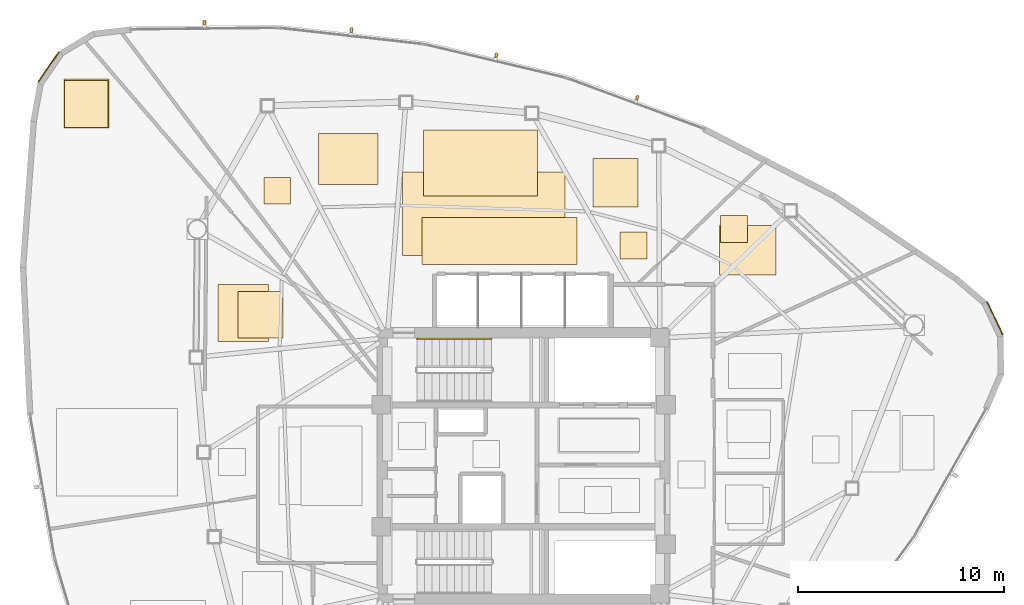
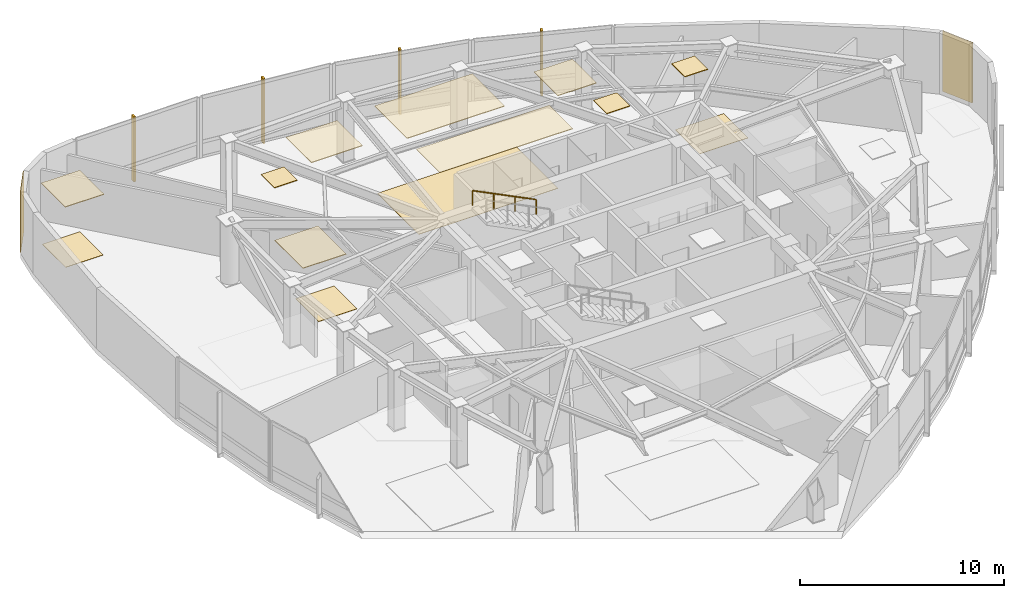
# One storey, part 15 of 15: 15 coverings, 4 shading devices, 1 railing.
"""IFC4 building model written with IfcOpenShell, lengths in metres."""

from ifc_helpers import new_model, si_unit, direction, frame, origin, origin_2d, place, context, subcontext, project, spatial, polyline, rectangle, outline, extrude, source, transform, mapped, material, layer, layer_set, type_object, type_shapes, element, save


model = new_model("IFC4")

# Units and contexts
model_context = context("Model", 3, precision=1e-05, world=origin(), true_north=direction((0.0, 1.0)))
body_context = subcontext(model_context, "Body", "Model", "MODEL_VIEW")
ifc_project = project(units=[si_unit("LENGTHUNIT", "METRE"), si_unit("AREAUNIT", "SQUARE_METRE"), si_unit("VOLUMEUNIT", "CUBIC_METRE"), si_unit("PLANEANGLEUNIT", "RADIAN"), si_unit("MASSUNIT", "GRAM", prefix="KILO")], contexts=[model_context])

# Site, building, storey
site_placement = place(None, origin())
site = spatial("IfcSite", under=ifc_project, at=site_placement, CompositionType="ELEMENT")
building_placement = place(site_placement, origin())
building = spatial("IfcBuilding", under=site, at=building_placement, Name="Tavelor Broadcast Tower", CompositionType="ELEMENT")
storey_placement = place(building_placement, frame((0.0, 0.0, 222.14990234375)))
storey = spatial("IfcBuildingStorey", under=building, at=storey_placement, Name="L52", CompositionType="ELEMENT", Elevation=222.14990234375)

# Coverings
ifc_material_1 = material(Name="Copper-Bronze Anodized Aluminium", Category="aluminium")
ifc_layer_1 = layer(ifc_material_1, 0.050048828125)
ifc_layer_set_1 = layer_set([ifc_layer_1], Name="Copper-Bronze Anodized Aluminium")
covering_type_1 = type_object("IfcCoveringType", Name="Champagne-Bronze Corner Pier Metal Cladding 50 mm", PredefinedType="CLADDING", material=ifc_layer_set_1)
for number, where, z_axis, x_axis, name in (
    (1, (26.999755859375, 64.32373046875, 0.02001953125), (0.0, 0.0, 1.0), (-0.568561850734, -0.822640518021, 0.0), "L52 Champagne-Bronze Corner Cladding 03"),
    (2, (72.8349609375, 52.139404296875, 0.02001953125), (0.0, 0.0, 1.0), (-0.428146661421, 0.903709265369, 0.0), "L52 Champagne-Bronze Corner Cladding 23"),
):
    element("IfcCovering", number, at=place(storey_placement, frame(where, z_axis=z_axis, x_axis=x_axis)), inside=storey, type_object=covering_type_1, Name=name, PredefinedType="CLADDING", context=body_context, shape_type="SweptSolid", body=[
        extrude(rectangle(XDim=1.770263671875, YDim=0.050048828125, at=origin_2d()), origin(), (0.0, 0.0, 1.0), 3.610107421875),
    ])

# Railing
ifc_material_2 = material(Name="Steel S355", Category="steel")
railing_type = type_object("IfcRailingType", Name="Continuous Brushed Stainless Handrail 900 mm", PredefinedType="HANDRAIL", material=ifc_material_2)
railing_placement = place(storey_placement, frame((48.449951171875, 51.14990234375, 2.154541015625)))
element("IfcRailing", 3, at=railing_placement, inside=storey, type_object=railing_type, Name="L52 ST1 stair handrail 2", PredefinedType="HANDRAIL", context=body_context, shape_type="SweptSolid", body=[
    extrude(rectangle(XDim=0.048095703125, YDim=0.048095703125, at=origin_2d()), frame((0.0, 0.0, 0.8759765625), z_axis=(-0.894851606799, 0.0, 0.446363755036), x_axis=(0.0, -1.0, 0.0)), (0.0, 0.0, 1.0), 4.02294921875),
    extrude(rectangle(XDim=0.0419921875, YDim=0.0419921875, at=origin_2d()), origin(), (0.0, 0.0, 1.0), 0.851806640625),
    extrude(rectangle(XDim=0.0419921875, YDim=0.0419921875, at=origin_2d()), frame((-1.199951171875, 0.0, 0.5986328125)), (0.0, 0.0, 1.0), 0.851806640625),
    extrude(rectangle(XDim=0.0419921875, YDim=0.0419921875, at=origin_2d()), frame((-2.39990234375, 0.0, 1.197021484375)), (0.0, 0.0, 1.0), 0.851806640625),
    extrude(rectangle(XDim=0.0419921875, YDim=0.0419921875, at=origin_2d()), frame((-3.599853515625, 0.0, 1.795654296875)), (0.0, 0.0, 1.0), 0.851806640625),
])

# Coverings
ifc_material_3 = material(Name="Acoustic Nylon Carpet Tile")
ifc_layer_2 = layer(ifc_material_3, 0.02001953125)
ifc_layer_set_2 = layer_set([ifc_layer_2], Name="Acoustic Nylon Carpet Tile")
covering_type_2 = type_object("IfcCoveringType", Name="Heavy-Duty Acoustic Broadcast Carpet Tile 20 mm", PredefinedType="FLOORING", material=ifc_layer_set_2)
covering_1_placement = place(storey_placement, origin())
element("IfcCovering", 4, at=covering_1_placement, inside=storey, type_object=covering_type_2, Name="L52 Broadcast Floor Finish 0759", PredefinedType="FLOORING", context=body_context, shape_type="SweptSolid", body=[
    extrude(outline(polyline([(59.48095703125, 54.2509765625), (62.2158203125, 54.2509765625), (62.2158203125, 56.639892578125), (59.48095703125, 56.639892578125), (59.48095703125, 54.2509765625)])), origin(), (0.0, 0.0, 1.0), 0.02001953125),
])
covering_2_placement = place(storey_placement, origin())
element("IfcCovering", 5, at=covering_2_placement, inside=storey, type_object=covering_type_2, Name="L52 Broadcast Floor Finish 0766", PredefinedType="FLOORING", context=body_context, shape_type="SweptSolid", body=[
    extrude(outline(polyline([(36.18017578125, 51.1875), (38.34619140625, 51.1875), (38.34619140625, 53.44189453125), (36.18017578125, 53.44189453125), (36.18017578125, 51.1875)])), origin(), (0.0, 0.0, 1.0), 0.02001953125),
])
covering_3_placement = place(storey_placement, origin())
element("IfcCovering", 6, at=covering_3_placement, inside=storey, type_object=covering_type_2, Name="L52 Broadcast Floor Finish 0767", PredefinedType="FLOORING", context=body_context, shape_type="SweptSolid", body=[
    extrude(outline(polyline([(27.77099609375, 61.380615234375), (29.88671875, 61.380615234375), (29.88671875, 63.669677734375), (27.77099609375, 63.669677734375), (27.77099609375, 61.380615234375)])), origin(), (0.0, 0.0, 1.0), 0.02001953125),
])
covering_4_placement = place(storey_placement, origin())
element("IfcCovering", 7, at=covering_4_placement, inside=storey, type_object=covering_type_2, Name="L52 Broadcast Floor Finish 0768", PredefinedType="FLOORING", context=body_context, shape_type="SweptSolid", body=[
    extrude(outline(polyline([(44.138916015625, 55.17626953125), (52.015869140625, 55.17626953125), (52.015869140625, 59.229248046875), (44.138916015625, 59.229248046875), (44.138916015625, 55.17626953125)])), origin(), (0.0, 0.0, 1.0), 0.02001953125),
])
ifc_material_4 = material(Name="Acoustic Mineral Fibre Tile")
ifc_layer_3 = layer(ifc_material_4, 0.0400390625)
ifc_layer_set_3 = layer_set([ifc_layer_3], Name="Acoustic Mineral Fibre Tile")
covering_type_3 = type_object("IfcCoveringType", Name="Suspended Acoustic Mineral-Fibre Office Ceiling 40 mm", PredefinedType="CEILING", material=ifc_layer_set_3)
covering_5_placement = place(storey_placement, frame((0.0, 0.0, 3.610107421875)))
element("IfcCovering", 8, at=covering_5_placement, inside=storey, type_object=covering_type_3, Name="L52 Suspended Acoustic Ceiling 2072", PredefinedType="CEILING", context=body_context, shape_type="SweptSolid", body=[
    extrude(outline(polyline([(59.55126953125, 55.82666015625), (60.851318359375, 55.82666015625), (60.851318359375, 57.126708984375), (59.55126953125, 57.126708984375), (59.55126953125, 55.82666015625)])), origin(), (0.0, 0.0, 1.0), 0.0400390625),
])
covering_6_placement = place(storey_placement, frame((0.0, 0.0, 3.610107421875)))
element("IfcCovering", 9, at=covering_6_placement, inside=storey, type_object=covering_type_3, Name="L52 Suspended Acoustic Ceiling 2087", PredefinedType="CEILING", context=body_context, shape_type="SweptSolid", body=[
    extrude(outline(polyline([(35.197509765625, 51.0234375), (37.646484375, 51.0234375), (37.646484375, 53.785400390625), (35.197509765625, 53.785400390625), (35.197509765625, 51.0234375)])), origin(), (0.0, 0.0, 1.0), 0.0400390625),
])
covering_7_placement = place(storey_placement, frame((0.0, 0.0, 3.610107421875)))
element("IfcCovering", 10, at=covering_7_placement, inside=storey, type_object=covering_type_3, Name="L52 Suspended Acoustic Ceiling 2090", PredefinedType="CEILING", context=body_context, shape_type="SweptSolid", body=[
    extrude(outline(polyline([(27.73779296875, 61.36669921875), (29.929931640625, 61.36669921875), (29.929931640625, 63.72509765625), (27.73779296875, 63.72509765625), (27.73779296875, 61.36669921875)])), origin(), (0.0, 0.0, 1.0), 0.0400390625),
])
covering_8_placement = place(storey_placement, frame((0.0, 0.0, 3.610107421875)))
element("IfcCovering", 11, at=covering_8_placement, inside=storey, type_object=covering_type_3, Name="L52 Suspended Acoustic Ceiling 2091", PredefinedType="CEILING", context=body_context, shape_type="SweptSolid", body=[
    extrude(outline(polyline([(54.67919921875, 55.016845703125), (55.97900390625, 55.016845703125), (55.97900390625, 56.31689453125), (54.67919921875, 56.31689453125), (54.67919921875, 55.016845703125)])), origin(), (0.0, 0.0, 1.0), 0.0400390625),
])
covering_9_placement = place(storey_placement, frame((0.0, 0.0, 3.610107421875)))
element("IfcCovering", 12, at=covering_9_placement, inside=storey, type_object=covering_type_3, Name="L52 Suspended Acoustic Ceiling 2092", PredefinedType="CEILING", context=body_context, shape_type="SweptSolid", body=[
    extrude(outline(polyline([(45.081787109375, 54.744140625), (52.593505859375, 54.744140625), (52.593505859375, 57.0380859375), (45.081787109375, 57.0380859375), (45.081787109375, 54.744140625)])), origin(), (0.0, 0.0, 1.0), 0.0400390625),
])
covering_10_placement = place(storey_placement, frame((0.0, 0.0, 3.610107421875)))
element("IfcCovering", 13, at=covering_10_placement, inside=storey, type_object=covering_type_3, Name="L52 Suspended Acoustic Ceiling 2093", PredefinedType="CEILING", context=body_context, shape_type="SweptSolid", body=[
    extrude(outline(polyline([(37.422607421875, 57.6767578125), (38.72265625, 57.6767578125), (38.72265625, 58.976806640625), (37.422607421875, 58.976806640625), (37.422607421875, 57.6767578125)])), origin(), (0.0, 0.0, 1.0), 0.0400390625),
])
covering_11_placement = place(storey_placement, frame((0.0, 0.0, 3.610107421875)))
element("IfcCovering", 14, at=covering_11_placement, inside=storey, type_object=covering_type_3, Name="L52 Suspended Acoustic Ceiling 2094", PredefinedType="CEILING", context=body_context, shape_type="SweptSolid", body=[
    extrude(outline(polyline([(53.365478515625, 57.541259765625), (55.54296875, 57.541259765625), (55.54296875, 59.880615234375), (53.365478515625, 59.880615234375), (53.365478515625, 57.541259765625)])), origin(), (0.0, 0.0, 1.0), 0.0400390625),
])
covering_12_placement = place(storey_placement, frame((0.0, 0.0, 3.610107421875)))
element("IfcCovering", 15, at=covering_12_placement, inside=storey, type_object=covering_type_3, Name="L52 Suspended Acoustic Ceiling 2095", PredefinedType="CEILING", context=body_context, shape_type="SweptSolid", body=[
    extrude(outline(polyline([(45.157470703125, 58.081787109375), (50.666015625, 58.081787109375), (50.666015625, 61.25537109375), (45.157470703125, 61.25537109375), (45.157470703125, 58.081787109375)])), origin(), (0.0, 0.0, 1.0), 0.0400390625),
])
covering_13_placement = place(storey_placement, frame((0.0, 0.0, 3.610107421875)))
element("IfcCovering", 16, at=covering_13_placement, inside=storey, type_object=covering_type_3, Name="L52 Suspended Acoustic Ceiling 2096", PredefinedType="CEILING", context=body_context, shape_type="SweptSolid", body=[
    extrude(outline(polyline([(40.068359375, 58.62890625), (42.954833984375, 58.62890625), (42.954833984375, 61.10546875), (40.068359375, 61.10546875), (40.068359375, 58.62890625)])), origin(), (0.0, 0.0, 1.0), 0.0400390625),
])

# Shading devices
ifc_material_5 = material(Name="Kiln-Fired Glazed Terracotta", Category="masonry")
shading_device_type = type_object("IfcShadingDeviceType", Name="Extruded Terracotta Baguette Sun-Screen 110x240", PredefinedType="JALOUSIE", material=ifc_material_5)
shared_shape = source(origin(), body_context, "Body", "SweptSolid", [
    extrude(rectangle(XDim=0.110107421875, YDim=0.239990234375, at=origin_2d()), origin(), (0.0, 0.0, 1.0), 3.889892578125),
])
type_shapes(shading_device_type, [shared_shape])
for number, where, z_axis, x_axis, name in (
    (17, (55.506103515625, 62.834716796875, -0.259765625), (0.0, 0.0, 1.0), (-0.938009980858, 0.346608245445, 0.0), "L52 Terracotta Baguette Fin 537"),
    (18, (48.68505859375, 64.89404296875, -0.259765625), (0.0, 0.0, 1.0), (-0.973098510982, 0.230389426677, 0.0), "L52 Terracotta Baguette Fin 538"),
    (19, (41.664794921875, 66.113037109375, -0.259765625), (0.0, 0.0, 1.0), (-0.993826147931, 0.110948581284, 0.0), "L52 Terracotta Baguette Fin 539"),
    (20, (34.548583984375, 66.473388671875, -0.259765625), (0.0, 0.0, 1.0), (-0.999948763788, -0.010122736774, 0.0), "L52 Terracotta Baguette Fin 540"),
):
    element("IfcShadingDevice", number, at=place(storey_placement, frame(where, z_axis=z_axis, x_axis=x_axis)), inside=storey, type_object=shading_device_type, Name=name, PredefinedType="JALOUSIE", context=body_context, shape_type="MappedRepresentation", body=[
        mapped(shared_shape, transform((0.0, 0.0, 0.0), scale=1.0)),
    ])

save(model, "model.ifc")
